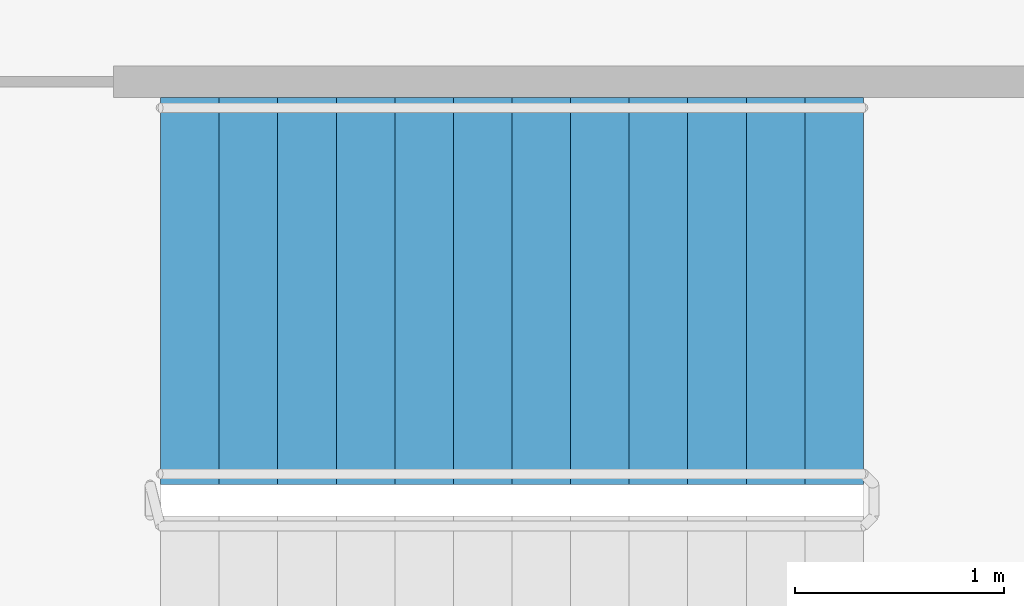
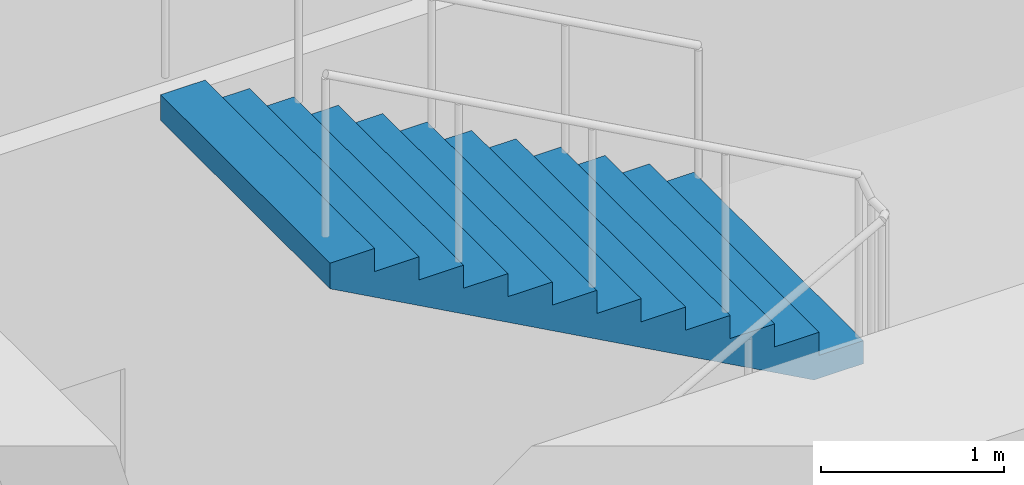
# One storey, part 9 of 11: 1 stair flight, 1 element without a shape of its own.
"""IFC4 building model written with IfcOpenShell, lengths in metres."""

from ifc_helpers import new_model, si_unit, direction, frame, origin, place, context, subcontext, project, spatial, polyline, outline, extrude, material, type_object, element, aggregate, save


model = new_model("IFC4")

# Units and contexts
model_context = context("Model", 3, precision=1e-05, world=origin(), true_north=direction((0.0, 1.0)))
body_context = subcontext(model_context, "Body", "Model", "MODEL_VIEW")
ifc_project = project(units=[si_unit("LENGTHUNIT", "METRE"), si_unit("AREAUNIT", "SQUARE_METRE"), si_unit("VOLUMEUNIT", "CUBIC_METRE"), si_unit("PLANEANGLEUNIT", "RADIAN"), si_unit("MASSUNIT", "GRAM", prefix="KILO")], contexts=[model_context])

# Site, building, storey
site_placement = place(None, origin())
site = spatial("IfcSite", under=ifc_project, at=site_placement, CompositionType="ELEMENT")
building_placement = place(site_placement, origin())
building = spatial("IfcBuilding", under=site, at=building_placement, Name="Zellij Exchange Tower", CompositionType="ELEMENT")
storey_placement = place(building_placement, frame((0.0, 0.0, 64.5)))
storey = spatial("IfcBuildingStorey", under=building, at=storey_placement, Name="L12", CompositionType="ELEMENT", Elevation=64.5)

# Stair, stair flight
ifc_material = material(Name="Concrete C40/50", Category="concrete")
stair_type = type_object("IfcStairType", Name="CORE-ST exit stair 1850 wide", PredefinedType="HALF_TURN_STAIR", material=ifc_material)
stair_placement = place(storey_placement, origin())
stair = element("IfcStair", 1, at=stair_placement, inside=storey, type_object=stair_type, Name="L12 exit stair ST4", PredefinedType="HALF_TURN_STAIR")
stair_flight_type = type_object("IfcStairFlightType", Name="CORE-SF flight 1850 riser 153.8 going 280", PredefinedType="STRAIGHT", material=ifc_material)
stair_flight_placement = place(storey_placement, frame((23.510009765625, -9.875, 2.0), z_axis=(0.0, 0.0, 1.0), x_axis=(-1.0, 0.0, 0.0)))
stair_flight = element("IfcStairFlight", 2, at=stair_flight_placement, type_object=stair_flight_type, Name="ST4 flight 2", NumberOfRisers=13, NumberOfTreads=12, PredefinedType="STRAIGHT", RiserHeight=0.153846154, TreadLength=0.28, context=body_context, shape_type="SweptSolid", body=[
    extrude(outline(polyline([(0.0, 0.0), (0.0, 0.15380859375), (0.280029296875, 0.15380859375), (0.280029296875, 0.3076171875), (0.56005859375, 0.3076171875), (0.56005859375, 0.46142578125), (0.840087890625, 0.46142578125), (0.840087890625, 0.615478515625), (1.1201171875, 0.615478515625), (1.1201171875, 0.769287109375), (1.39990234375, 0.769287109375), (1.39990234375, 0.923095703125), (1.679931640625, 0.923095703125), (1.679931640625, 1.076904296875), (1.9599609375, 1.076904296875), (1.9599609375, 1.230712890625), (2.239990234375, 1.230712890625), (2.239990234375, 1.384521484375), (2.52001953125, 1.384521484375), (2.52001953125, 1.53857421875), (2.800048828125, 1.53857421875), (2.800048828125, 1.6923828125), (3.080078125, 1.6923828125), (3.080078125, 1.84619140625), (3.360107421875, 1.84619140625), (3.360107421875, 2.0), (3.360107421875, 1.675048828125), (0.311279296875, 0.0), (0.0, 0.0)])), frame((0.0, 0.925048828125, 0.0), z_axis=(0.0, -1.0, 0.0), x_axis=(1.0, 0.0, 0.0)), (0.0, 0.0, 1.0), 1.85009765625),
])
aggregate(stair, [stair_flight])

save(model, "model.ifc")
